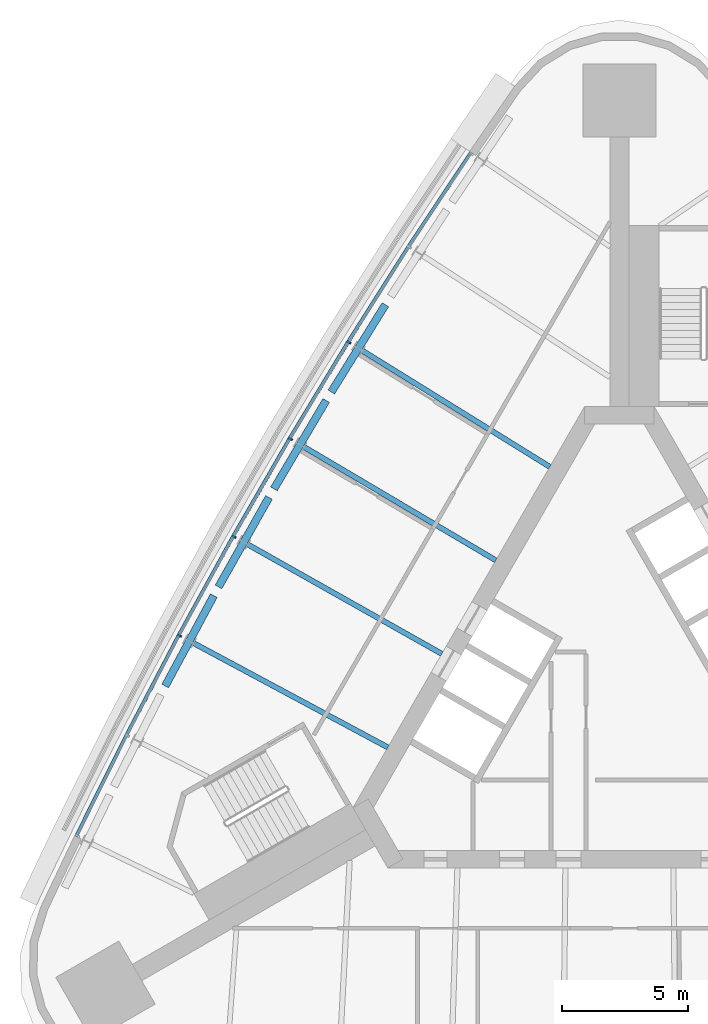
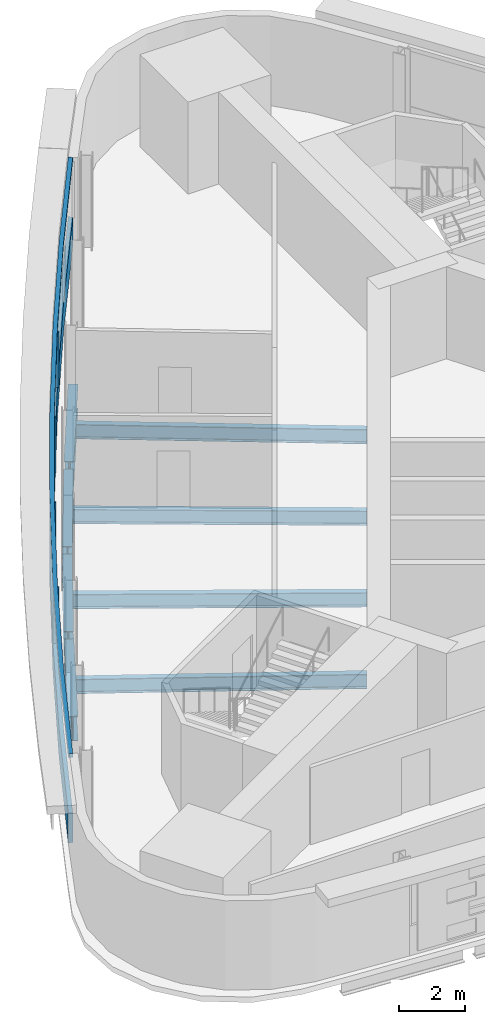
# One storey, part 4 of 12: 8 beams, 6 members, 1 element without a shape of its own.
"""IFC4 building model written with IfcOpenShell, lengths in metres."""

from ifc_helpers import new_model, si_unit, direction, frame, origin, origin_2d, place, context, subcontext, project, spatial, polyline, rectangle, i_section, outline, extrude, material, material_profile, profile_set, type_object, element, aggregate, save


model = new_model("IFC4")

# Units and contexts
model_context = context("Model", 3, precision=1e-05, world=origin(), true_north=direction((0.0, 1.0)))
body_context = subcontext(model_context, "Body", "Model", "MODEL_VIEW")
ifc_project = project(units=[si_unit("LENGTHUNIT", "METRE"), si_unit("AREAUNIT", "SQUARE_METRE"), si_unit("VOLUMEUNIT", "CUBIC_METRE"), si_unit("PLANEANGLEUNIT", "RADIAN"), si_unit("MASSUNIT", "GRAM", prefix="KILO")], contexts=[model_context])

# Site, building, storey
site_placement = place(None, origin())
site = spatial("IfcSite", under=ifc_project, at=site_placement, CompositionType="ELEMENT")
building_placement = place(site_placement, origin())
building = spatial("IfcBuilding", under=site, at=building_placement, Name="Noor Cloister Tower", CompositionType="ELEMENT")
storey_placement = place(building_placement, frame((0.0, 0.0, 150.89990234375)))
storey = spatial("IfcBuildingStorey", under=building, at=storey_placement, Name="L38", CompositionType="ELEMENT", Elevation=150.89990234375)

# Curtain wall, members
ifc_material_1 = material(Name="Aluminium 6063-T6 anodised", Category="aluminium")
curtain_wall_type = type_object("IfcCurtainWallType", Name="Ribbon curtain wall, upper tower CW5", PredefinedType="NOTDEFINED", material=ifc_material_1)
curtain_wall_placement = place(storey_placement, origin())
curtain_wall = element("IfcCurtainWall", 1, at=curtain_wall_placement, inside=storey, type_object=curtain_wall_type, Name="CW5 L38 NW run 1", PredefinedType="NOTDEFINED")
ifc_material_2 = material(Name="Aluminium 6063-T6 anodised", Category="aluminium")
member_type_1 = type_object("IfcMemberType", Name="Head transom CW5 150", PredefinedType="USERDEFINED", material=ifc_material_2)
member_1_placement = place(storey_placement, frame((0.0, 0.0, 3.150146484375)))
member_1 = element("IfcMember", 2, at=member_1_placement, type_object=member_type_1, Name="CW5 head transom", ObjectType="TRANSOM", PredefinedType="USERDEFINED", context=body_context, shape_type="SweptSolid", body=[
    extrude(outline(polyline([(-5.967529296875, 21.615966796875), (-8.455322265625, 17.8662109375), (-10.864990234375, 14.06591796875), (-13.195068359375, 10.21630859375), (-15.445068359375, 6.3193359375), (-17.61376953125, 2.37646484375), (-19.700439453125, -1.610595703125), (-21.703857421875, -5.639892578125), (-21.578369140625, -5.7021484375), (-19.57568359375, -1.674072265625), (-17.490478515625, 2.310302734375), (-15.3232421875, 6.25048828125), (-13.07470703125, 10.14501953125), (-10.745849609375, 13.9921875), (-8.337890625, 17.7900390625), (-5.850830078125, 21.53857421875), (-5.967529296875, 21.615966796875)])), origin(), (0.0, 0.0, 1.0), 0.14990234375),
])
ifc_material_3 = material(Name="Aluminium 6063-T6 anodised", Category="aluminium")
ifc_material_profile_1 = material_profile(ifc_material_3, rectangle(XDim=0.179931640625, YDim=0.070068359375, at=origin_2d()), Name="180 x 70 mullion")
ifc_profile_set_1 = profile_set([ifc_material_profile_1], Name="Aluminium 6063-T6 anodised")
member_type_2 = type_object("IfcMemberType", Name="Mullion CW5 70 x 180", PredefinedType="MULLION", material=ifc_profile_set_1)
member_2_placement = place(storey_placement, frame((-10.780029296875, 14.01318359375, 1.10009765625), z_axis=(0.0, 0.0, 1.0), x_axis=(0.850062776899, -0.526681379328, 0.0)))
member_2 = element("IfcMember", 3, at=member_2_placement, type_object=member_type_2, Name="CW5 mullion 3", PredefinedType="MULLION", context=body_context, shape_type="SweptSolid", body=[
    extrude(rectangle(XDim=0.179931640625, YDim=0.070068359375, at=origin_2d()), origin(), (0.0, 0.0, 1.0), 2.050048828125),
])
member_3_placement = place(storey_placement, frame((-13.109130859375, 10.165283203125, 1.10009765625), z_axis=(0.0, 0.0, 1.0), x_axis=(0.86079680353, -0.508948782327, 0.0)))
member_3 = element("IfcMember", 4, at=member_3_placement, type_object=member_type_2, Name="CW5 mullion 4", PredefinedType="MULLION", context=body_context, shape_type="SweptSolid", body=[
    extrude(rectangle(XDim=0.179931640625, YDim=0.070068359375, at=origin_2d()), origin(), (0.0, 0.0, 1.0), 2.050048828125),
])
member_4_placement = place(storey_placement, frame((-15.35791015625, 6.27001953125, 1.10009765625), z_axis=(0.0, 0.0, 1.0), x_axis=(0.871160976485, -0.49099750819, 0.0)))
member_4 = element("IfcMember", 5, at=member_4_placement, type_object=member_type_2, Name="CW5 mullion 5", PredefinedType="MULLION", context=body_context, shape_type="SweptSolid", body=[
    extrude(rectangle(XDim=0.179931640625, YDim=0.070068359375, at=origin_2d()), origin(), (0.0, 0.0, 1.0), 2.050048828125),
])
member_5_placement = place(storey_placement, frame((-17.525634765625, 2.3291015625, 1.10009765625), z_axis=(0.0, 0.0, 1.0), x_axis=(0.881150842648, -0.472835269942, 0.0)))
member_5 = element("IfcMember", 6, at=member_5_placement, type_object=member_type_2, Name="CW5 mullion 6", PredefinedType="MULLION", context=body_context, shape_type="SweptSolid", body=[
    extrude(rectangle(XDim=0.179931640625, YDim=0.070068359375, at=origin_2d()), origin(), (0.0, 0.0, 1.0), 2.050048828125),
])

# Beams
ifc_material_4 = material(Name="Steel ASTM A992 Gr 50", Category="steel")
ifc_material_profile_2 = material_profile(ifc_material_4, i_section(OverallWidth=0.208984375, OverallDepth=0.532958984375, WebThickness=0.01025390625, FlangeThickness=0.015625, FilletRadius=0.0126953125, at=origin_2d()), Name="W530x92")
ifc_profile_set_2 = profile_set([ifc_material_profile_2], Name="Steel ASTM A992 Gr 50")
beam_type_1 = type_object("IfcBeamType", Name="Radial beam W530x92", PredefinedType="BEAM", material=ifc_profile_set_2)
beam_1_placement = place(storey_placement, frame((-10.267822265625, 13.69580078125, -0.46630859375), z_axis=(0.850065611431, -0.526676804372, 0.0), x_axis=(0.526676804372, 0.850065611431, 0.0)))
element("IfcBeam", 7, at=beam_1_placement, inside=storey, type_object=beam_type_1, Name="Radial beam NW 03 L38", PredefinedType="BEAM", context=body_context, shape_type="SweptSolid", body=[
    extrude(i_section(OverallWidth=0.208984375, OverallDepth=0.532958984375, WebThickness=0.01025390625, FlangeThickness=0.015625, FilletRadius=0.0126953125, at=origin_2d()), origin(), (0.0, 0.0, 1.0), 8.816162109375),
])
beam_2_placement = place(storey_placement, frame((-12.590576171875, 9.858642578125, -0.46630859375), z_axis=(0.86080588609, -0.508933420471, 0.0), x_axis=(0.508933420471, 0.86080588609, 0.0)))
element("IfcBeam", 8, at=beam_2_placement, inside=storey, type_object=beam_type_1, Name="Radial beam NW 04 L38", PredefinedType="BEAM", context=body_context, shape_type="SweptSolid", body=[
    extrude(i_section(OverallWidth=0.208984375, OverallDepth=0.532958984375, WebThickness=0.01025390625, FlangeThickness=0.015625, FilletRadius=0.0126953125, at=origin_2d()), origin(), (0.0, 0.0, 1.0), 8.9052734375),
])
beam_3_placement = place(storey_placement, frame((-14.833251953125, 5.974365234375, -0.46630859375), z_axis=(0.871160097896, -0.49099906704, 0.0), x_axis=(0.49099906704, 0.871160097896, 0.0)))
element("IfcBeam", 9, at=beam_3_placement, inside=storey, type_object=beam_type_1, Name="Radial beam NW 05 L38", PredefinedType="BEAM", context=body_context, shape_type="SweptSolid", body=[
    extrude(i_section(OverallWidth=0.208984375, OverallDepth=0.532958984375, WebThickness=0.01025390625, FlangeThickness=0.015625, FilletRadius=0.0126953125, at=origin_2d()), origin(), (0.0, 0.0, 1.0), 8.905517578125),
])
beam_4_placement = place(storey_placement, frame((-16.994873046875, 2.044189453125, -0.46630859375), z_axis=(0.881155765553, -0.472826095762, 0.0), x_axis=(0.472826095762, 0.881155765553, 0.0)))
element("IfcBeam", 10, at=beam_4_placement, inside=storey, type_object=beam_type_1, Name="Radial beam NW 06 L38", PredefinedType="BEAM", context=body_context, shape_type="SweptSolid", body=[
    extrude(i_section(OverallWidth=0.208984375, OverallDepth=0.532958984375, WebThickness=0.01025390625, FlangeThickness=0.015625, FilletRadius=0.0126953125, at=origin_2d()), origin(), (0.0, 0.0, 1.0), 8.816162109375),
])

# Member
ifc_material_5 = material(Name="Aluminium 6063-T6 anodised", Category="aluminium")
member_type_3 = type_object("IfcMemberType", Name="Sill transom CW5 1100", PredefinedType="USERDEFINED", material=ifc_material_5)
member_6_placement = place(storey_placement, origin())
member_6 = element("IfcMember", 11, at=member_6_placement, type_object=member_type_3, Name="CW5 sill transom", ObjectType="TRANSOM", PredefinedType="USERDEFINED", context=body_context, shape_type="SweptSolid", body=[
    extrude(outline(polyline([(-5.967529296875, 21.615966796875), (-8.455322265625, 17.8662109375), (-10.864990234375, 14.06591796875), (-13.195068359375, 10.21630859375), (-15.445068359375, 6.3193359375), (-17.61376953125, 2.37646484375), (-19.700439453125, -1.610595703125), (-21.703857421875, -5.639892578125), (-21.578369140625, -5.7021484375), (-19.57568359375, -1.674072265625), (-17.490478515625, 2.310302734375), (-15.3232421875, 6.25048828125), (-13.07470703125, 10.14501953125), (-10.745849609375, 13.9921875), (-8.337890625, 17.7900390625), (-5.850830078125, 21.53857421875), (-5.967529296875, 21.615966796875)])), origin(), (0.0, 0.0, 1.0), 1.10009765625),
])

aggregate(curtain_wall, [member_2, member_3, member_4, member_5, member_6, member_1])

# Beams
ifc_material_6 = material(Name="Steel ASTM A992 Gr 50", Category="steel")
ifc_material_profile_3 = material_profile(ifc_material_6, i_section(OverallWidth=0.304931640625, OverallDepth=0.9189453125, WebThickness=0.017333984375, FlangeThickness=0.02783203125, FilletRadius=0.01904296875, at=origin_2d()), Name="W920x253")
ifc_profile_set_3 = profile_set([ifc_material_profile_3], Name="Steel ASTM A992 Gr 50")
beam_type_2 = type_object("IfcBeamType", Name="Transfer girder W920x253", PredefinedType="BEAM", material=ifc_profile_set_3)
for number, where, z_axis, x_axis, name in (
    (12, (-9.32373046875, 15.51025390625, -0.659423828125), (-0.526420379134, -0.850224431802, 0.0), (0.850224431802, -0.526420379134, 0.0), "Transfer girder NW 03 L38"),
    (13, (-11.68212890625, 11.695068359375, -0.659423828125), (-0.508866071809, -0.860845701018, 0.0), (0.860845701018, -0.508866071809, 0.0), "Transfer girder NW 04 L38"),
    (14, (-13.9609375, 7.83203125, -0.659423828125), (-0.491122612788, -0.871090454091, 0.0), (0.871090454091, -0.491122612788, 0.0), "Transfer girder NW 05 L38"),
):
    element("IfcBeam", number, at=place(storey_placement, frame(where, z_axis=z_axis, x_axis=x_axis)), inside=storey, type_object=beam_type_2, Name=name, PredefinedType="BEAM", context=body_context, shape_type="SweptSolid", body=[
        extrude(i_section(OverallWidth=0.304931640625, OverallDepth=0.9189453125, WebThickness=0.017333984375, FlangeThickness=0.02783203125, FilletRadius=0.01904296875, at=origin_2d()), origin(), (0.0, 0.0, 1.0), 4.089599609375),
    ])
beam_5_placement = place(storey_placement, frame((-16.1591796875, 3.92236328125, -0.659423828125), z_axis=(-0.473145514106, -0.880984291847, 0.0), x_axis=(0.880984291847, -0.473145514106, 0.0)))
element("IfcBeam", 15, at=beam_5_placement, inside=storey, type_object=beam_type_2, Name="Transfer girder NW 06 L38", PredefinedType="BEAM", context=body_context, shape_type="SweptSolid", body=[
    extrude(i_section(OverallWidth=0.304931640625, OverallDepth=0.9189453125, WebThickness=0.017333984375, FlangeThickness=0.02783203125, FilletRadius=0.01904296875, at=origin_2d()), origin(), (0.0, 0.0, 1.0), 4.08984375),
])

save(model, "model.ifc")
